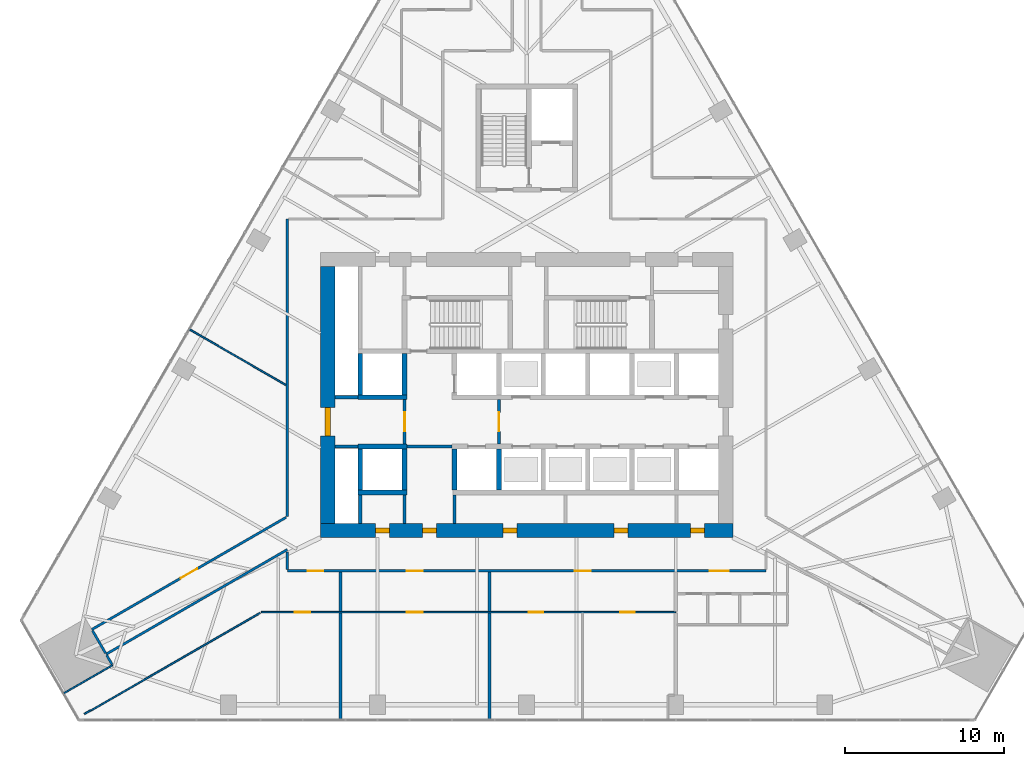
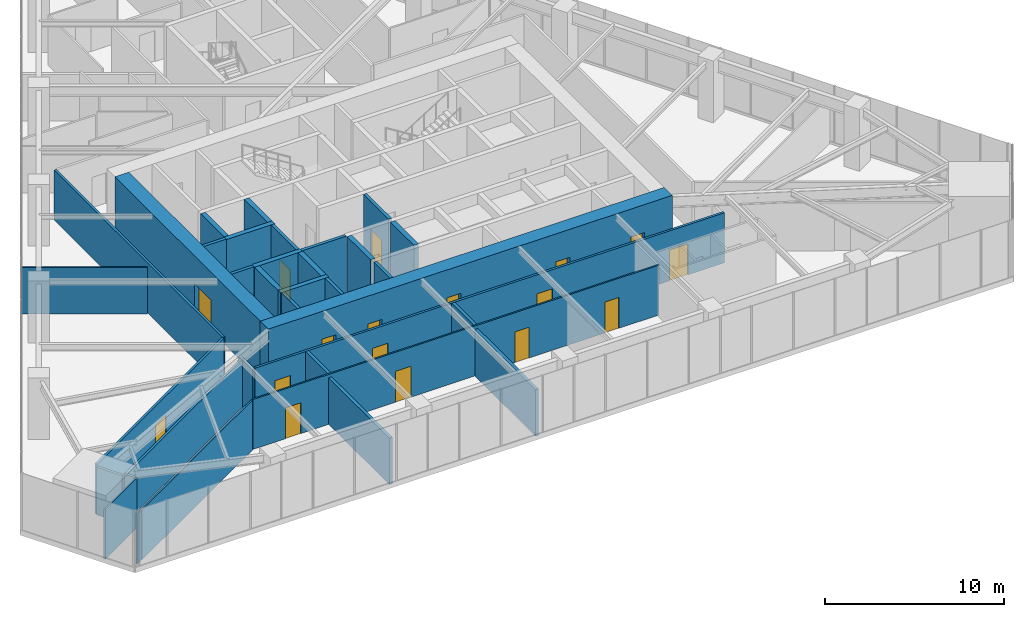
# One storey, part 16 of 21: 35 walls, 17 doors, 17 openings.
"""IFC4 building model written with IfcOpenShell, lengths in metres."""

from ifc_helpers import new_model, si_unit, direction, frame, frame_2d, origin, place, context, subcontext, project, spatial, rectangle, extrude, material, layer, layer_set, type_object, element, fill, save


model = new_model("IFC4")

# Units and contexts
model_context = context("Model", 3, precision=1e-05, world=origin(), true_north=direction((0.0, 1.0)))
body_context = subcontext(model_context, "Body", "Model", "MODEL_VIEW")
ifc_project = project(units=[si_unit("LENGTHUNIT", "METRE"), si_unit("AREAUNIT", "SQUARE_METRE"), si_unit("VOLUMEUNIT", "CUBIC_METRE"), si_unit("PLANEANGLEUNIT", "RADIAN"), si_unit("MASSUNIT", "GRAM", prefix="KILO")], contexts=[model_context])

# Site, building, storey
site_placement = place(None, origin())
site = spatial("IfcSite", under=ifc_project, at=site_placement, CompositionType="ELEMENT")
building_placement = place(site_placement, origin())
building = spatial("IfcBuilding", under=site, at=building_placement, Name="Firuza Gate Tower and Library", CompositionType="ELEMENT")
storey_placement = place(building_placement, frame((0.0, 0.0, 98.800048828125)))
storey = spatial("IfcBuildingStorey", under=building, at=storey_placement, Name="L22", CompositionType="ELEMENT", Elevation=98.800048828125)

# Walls
ifc_material_1 = material(Name="Plasterboard on steel studs", Category="steel")
ifc_layer_1 = layer(ifc_material_1, 0.199951171875)
ifc_layer_set_1 = layer_set([ifc_layer_1], Name="Core partition 200 EI 120")
wall_type_1 = type_object("IfcWallType", Name="Core partition 200 EI 120", PredefinedType="PARTITIONING", material=ifc_layer_set_1)
wall_1_placement = place(storey_placement, frame((62.89990234375, 71.75, 0.0), z_axis=(0.0, 0.0, 1.0), x_axis=(1.0, 0.0, 0.0)))
element("IfcWall", 1, at=wall_1_placement, inside=storey, type_object=wall_type_1, Name="Core partition L22 1", PredefinedType="PARTITIONING", context=body_context, shape_type="SweptSolid", body=[
    extrude(rectangle(XDim=1.4501953125, YDim=0.199951171875, at=frame_2d((0.72509765625, 0.0))), origin(), (0.0, 0.0, 1.0), 4.0),
])
wall_2_placement = place(storey_placement, frame((67.449951171875, 71.75, 0.0), z_axis=(0.0, 0.0, 1.0), x_axis=(1.0, 0.0, 0.0)))
element("IfcWall", 2, at=wall_2_placement, inside=storey, type_object=wall_type_1, Name="Core partition L22 2", PredefinedType="PARTITIONING", context=body_context, shape_type="SweptSolid", body=[
    extrude(rectangle(XDim=2.85009765625, YDim=0.199951171875, at=frame_2d((1.425048828125, 0.0))), origin(), (0.0, 0.0, 1.0), 4.0),
])
wall_3_placement = place(storey_placement, frame((62.89990234375, 74.85009765625, 0.0), z_axis=(0.0, 0.0, 1.0), x_axis=(1.0, 0.0, 0.0)))
element("IfcWall", 3, at=wall_3_placement, inside=storey, type_object=wall_type_1, Name="Core partition L22 3", PredefinedType="PARTITIONING", context=body_context, shape_type="SweptSolid", body=[
    extrude(rectangle(XDim=1.4501953125, YDim=0.199951171875, at=frame_2d((0.72509765625, 0.0))), origin(), (0.0, 0.0, 1.0), 4.0),
])
for number, where, z_axis, x_axis, name in (
    (4, (64.5, 66.89990234375, 0.0), (0.0, 0.0, 1.0), (0.0, 1.0, 0.0), "Core partition L22 5"),
    (5, (67.300048828125, 66.89990234375, 0.0), (0.0, 0.0, 1.0), (0.0, 1.0, 0.0), "Core partition L22 7"),
    (6, (70.449951171875, 66.89990234375, 0.0), (0.0, 0.0, 1.0), (0.0, 1.0, 0.0), "Core partition L22 10"),
):
    element("IfcWall", number, at=place(storey_placement, frame(where, z_axis=z_axis, x_axis=x_axis)), inside=storey, type_object=wall_type_1, Name=name, PredefinedType="PARTITIONING", context=body_context, shape_type="SweptSolid", body=[
        extrude(rectangle(XDim=1.800048828125, YDim=0.199951171875, at=frame_2d((0.89990234375, 0.0))), origin(), (0.0, 0.0, 1.0), 4.0),
    ])

# Wall, opening, door
ifc_material_2 = material(Name="Plasterboard on steel studs", Category="steel")
ifc_layer_2 = layer(ifc_material_2, 0.199951171875)
ifc_layer_set_2 = layer_set([ifc_layer_2], Name="Core partition 200 EI 60")
wall_type_2 = type_object("IfcWallType", Name="Core partition 200 EI 60", PredefinedType="PARTITIONING", material=ifc_layer_set_2)
wall_4_placement = place(storey_placement, frame((67.300048828125, 71.89990234375, 0.0), z_axis=(0.0, 0.0, 1.0), x_axis=(0.0, 1.0, 0.0)))
wall_4 = element("IfcWall", 7, at=wall_4_placement, inside=storey, type_object=wall_type_2, Name="Core partition L22 8", PredefinedType="PARTITIONING", context=body_context, shape_type="SweptSolid", body=[
    extrude(rectangle(XDim=2.800048828125, YDim=0.199951171875, at=frame_2d((1.39990234375, 0.0))), origin(), (0.0, 0.0, 1.0), 4.0),
])
opening_1_placement = place(wall_4_placement, frame((0.800048828125, 0.0, 0.0)))
opening_1 = element("IfcOpeningElement", 8, at=opening_1_placement, cuts=wall_4, Name="Opening L22-K21", PredefinedType="OPENING", context=body_context, shape_type="SweptSolid", body=[
    extrude(rectangle(XDim=1.199951171875, YDim=2.10009765625, at=frame_2d((0.60009765625, 1.050048828125))), frame((0.0, 0.10986328125, 0.0), z_axis=(0.0, -1.0, 0.0), x_axis=(1.0, 0.0, 0.0)), (0.0, 0.0, 1.0), 0.219970703125),
])
ifc_material_3 = material(Name="Steel", Category="steel")
door_type_1 = type_object("IfcDoorType", Name="Fire door 1200x2100 FD90S", OperationType="NOTDEFINED", PredefinedType="DOOR", material=ifc_material_3)
door_1_placement = place(opening_1_placement, origin())
door_1 = element("IfcDoor", 9, at=door_1_placement, inside=storey, type_object=door_type_1, Name="Door L22-K21", OperationType="SINGLE_SWING_RIGHT", OverallHeight=2.10009765625, OverallWidth=1.199951171875, PredefinedType="DOOR", context=body_context, shape_type="SweptSolid", body=[
    extrude(rectangle(XDim=1.199951171875, YDim=2.10009765625, at=frame_2d((0.60009765625, 1.050048828125))), frame((0.0, 0.02490234375, 0.0), z_axis=(0.0, -1.0, 0.0), x_axis=(1.0, 0.0, 0.0)), (0.0, 0.0, 1.0), 0.050048828125),
])
fill(opening_1, door_1)

wall_5_placement = place(storey_placement, frame((73.25, 71.89990234375, 0.0), z_axis=(0.0, 0.0, 1.0), x_axis=(0.0, 1.0, 0.0)))
wall_5 = element("IfcWall", 10, at=wall_5_placement, inside=storey, type_object=wall_type_2, Name="Core partition L22 11", PredefinedType="PARTITIONING", context=body_context, shape_type="SweptSolid", body=[
    extrude(rectangle(XDim=2.800048828125, YDim=0.199951171875, at=frame_2d((1.39990234375, 0.0))), origin(), (0.0, 0.0, 1.0), 4.0),
])
opening_2_placement = place(wall_5_placement, frame((0.800048828125, 0.0, 0.0)))
opening_2 = element("IfcOpeningElement", 11, at=opening_2_placement, cuts=wall_5, Name="Opening L22-K20", PredefinedType="OPENING", context=body_context, shape_type="SweptSolid", body=[
    extrude(rectangle(XDim=1.199951171875, YDim=2.10009765625, at=frame_2d((0.60009765625, 1.050048828125))), frame((0.0, 0.10986328125, 0.0), z_axis=(0.0, -1.0, 0.0), x_axis=(1.0, 0.0, 0.0)), (0.0, 0.0, 1.0), 0.219970703125),
])
door_2_placement = place(opening_2_placement, origin())
door_2 = element("IfcDoor", 12, at=door_2_placement, inside=storey, type_object=door_type_1, Name="Door L22-K20", OperationType="SINGLE_SWING_LEFT", OverallHeight=2.10009765625, OverallWidth=1.199951171875, PredefinedType="DOOR", context=body_context, shape_type="SweptSolid", body=[
    extrude(rectangle(XDim=1.199951171875, YDim=2.10009765625, at=frame_2d((0.60009765625, 1.050048828125))), frame((0.0, 0.02490234375, 0.0), z_axis=(0.0, -1.0, 0.0), x_axis=(1.0, 0.0, 0.0)), (0.0, 0.0, 1.0), 0.050048828125),
])
fill(opening_2, door_2)

# Walls
ifc_material_4 = material(Name="Concrete C80/95", Category="concrete")
ifc_layer_3 = layer(ifc_material_4, 0.300048828125)
ifc_layer_set_3 = layer_set([ifc_layer_3], Name="Core wall 300 C80/95")
wall_type_3 = type_object("IfcWallType", Name="Core wall 300 C80/95", PredefinedType="SHEAR", material=ifc_layer_set_3)
for number, where, z_axis, x_axis, name in (
    (13, (64.35009765625, 68.85009765625, 0.0), (0.0, 0.0, 1.0), (1.0, 0.0, 0.0), "Core wall L22 5"),
    (14, (64.35009765625, 71.75, 0.0), (0.0, 0.0, 1.0), (1.0, 0.0, 0.0), "Core wall L22 7"),
    (15, (64.35009765625, 74.85009765625, 0.0), (0.0, 0.0, 1.0), (1.0, 0.0, 0.0), "Core wall L22 9"),
):
    element("IfcWall", number, at=place(storey_placement, frame(where, z_axis=z_axis, x_axis=x_axis)), inside=storey, type_object=wall_type_3, Name=name, PredefinedType="SHEAR", context=body_context, shape_type="SweptSolid", body=[
        extrude(rectangle(XDim=3.099853515625, YDim=0.300048828125, at=frame_2d((1.5498046875, 0.0))), origin(), (0.0, 0.0, 1.0), 4.0),
    ])
for number, where, z_axis, x_axis, name in (
    (16, (64.5, 69.0, 0.0), (0.0, 0.0, 1.0), (0.0, 1.0, 0.0), "Core wall L22 11"),
    (17, (64.5, 75.0, 0.0), (0.0, 0.0, 1.0), (0.0, 1.0, 0.0), "Core wall L22 12"),
    (18, (67.300048828125, 69.0, 0.0), (0.0, 0.0, 1.0), (0.0, 1.0, 0.0), "Core wall L22 13"),
    (19, (67.300048828125, 75.0, 0.0), (0.0, 0.0, 1.0), (0.0, 1.0, 0.0), "Core wall L22 14"),
    (20, (70.449951171875, 69.0, 0.0), (0.0, 0.0, 1.0), (0.0, 1.0, 0.0), "Core wall L22 15"),
    (21, (73.25, 69.0, 0.0), (0.0, 0.0, 1.0), (0.0, 1.0, 0.0), "Core wall L22 17"),
):
    element("IfcWall", number, at=place(storey_placement, frame(where, z_axis=z_axis, x_axis=x_axis)), inside=storey, type_object=wall_type_3, Name=name, PredefinedType="SHEAR", context=body_context, shape_type="SweptSolid", body=[
        extrude(rectangle(XDim=2.60009765625, YDim=0.300048828125, at=frame_2d((1.300048828125, 0.0))), origin(), (0.0, 0.0, 1.0), 4.0),
    ])

# Wall, openings, doors
ifc_material_5 = material(Name="Concrete C80/95", Category="concrete")
ifc_layer_4 = layer(ifc_material_5, 0.89990234375)
ifc_layer_set_4 = layer_set([ifc_layer_4], Name="Core wall 900 C80/95")
wall_type_4 = type_object("IfcWallType", Name="Core wall 900 C80/95", PredefinedType="SHEAR", material=ifc_layer_set_4)
wall_6_placement = place(storey_placement, frame((62.0, 66.449951171875, 0.0), z_axis=(0.0, 0.0, 1.0), x_axis=(1.0, 0.0, 0.0)))
wall_6 = element("IfcWall", 22, at=wall_6_placement, inside=storey, type_object=wall_type_4, Name="Core wall L22 1", PredefinedType="SHEAR", context=body_context, shape_type="SweptSolid", body=[
    extrude(rectangle(XDim=26.0, YDim=0.89990234375, at=frame_2d((13.0, 0.0))), origin(), (0.0, 0.0, 1.0), 4.0),
])
opening_3_placement = place(wall_6_placement, frame((3.449951171875, 0.0, 0.0)))
opening_3 = element("IfcOpeningElement", 23, at=opening_3_placement, cuts=wall_6, Name="Opening L22-K24", PredefinedType="OPENING", context=body_context, shape_type="SweptSolid", body=[
    extrude(rectangle(XDim=0.89990234375, YDim=2.10009765625, at=frame_2d((0.449951171875, 1.050048828125))), frame((0.0, 0.4599609375, 0.0), z_axis=(0.0, -1.0, 0.0), x_axis=(1.0, 0.0, 0.0)), (0.0, 0.0, 1.0), 0.919921875),
])
opening_4_placement = place(wall_6_placement, frame((6.425048828125, 0.0, 0.0)))
opening_4 = element("IfcOpeningElement", 24, at=opening_4_placement, cuts=wall_6, Name="Opening L22-K25", PredefinedType="OPENING", context=body_context, shape_type="SweptSolid", body=[
    extrude(rectangle(XDim=0.89990234375, YDim=2.10009765625, at=frame_2d((0.449951171875, 1.050048828125))), frame((0.0, 0.4599609375, 0.0), z_axis=(0.0, -1.0, 0.0), x_axis=(1.0, 0.0, 0.0)), (0.0, 0.0, 1.0), 0.919921875),
])
opening_5_placement = place(wall_6_placement, frame((11.5, 0.0, 0.0)))
opening_5 = element("IfcOpeningElement", 25, at=opening_5_placement, cuts=wall_6, Name="Opening L22-K26", PredefinedType="OPENING", context=body_context, shape_type="SweptSolid", body=[
    extrude(rectangle(XDim=0.89990234375, YDim=2.10009765625, at=frame_2d((0.449951171875, 1.050048828125))), frame((0.0, 0.4599609375, 0.0), z_axis=(0.0, -1.0, 0.0), x_axis=(1.0, 0.0, 0.0)), (0.0, 0.0, 1.0), 0.919921875),
])
opening_6_placement = place(wall_6_placement, frame((18.5, 0.0, 0.0)))
opening_6 = element("IfcOpeningElement", 26, at=opening_6_placement, cuts=wall_6, Name="Opening L22-K27", PredefinedType="OPENING", context=body_context, shape_type="SweptSolid", body=[
    extrude(rectangle(XDim=0.89990234375, YDim=2.10009765625, at=frame_2d((0.449951171875, 1.050048828125))), frame((0.0, 0.4599609375, 0.0), z_axis=(0.0, -1.0, 0.0), x_axis=(1.0, 0.0, 0.0)), (0.0, 0.0, 1.0), 0.919921875),
])
opening_7_placement = place(wall_6_placement, frame((23.324951171875, 0.0, 0.0)))
opening_7 = element("IfcOpeningElement", 27, at=opening_7_placement, cuts=wall_6, Name="Opening L22-K28", PredefinedType="OPENING", context=body_context, shape_type="SweptSolid", body=[
    extrude(rectangle(XDim=0.89990234375, YDim=2.10009765625, at=frame_2d((0.449951171875, 1.050048828125))), frame((0.0, 0.4599609375, 0.0), z_axis=(0.0, -1.0, 0.0), x_axis=(1.0, 0.0, 0.0)), (0.0, 0.0, 1.0), 0.919921875),
])
ifc_material_6 = material(Name="Steel", Category="steel")
door_type_2 = type_object("IfcDoorType", Name="Fire door 900x2100 FD30S", OperationType="NOTDEFINED", PredefinedType="DOOR", material=ifc_material_6)
door_3_placement = place(opening_3_placement, origin())
door_3 = element("IfcDoor", 28, at=door_3_placement, inside=storey, type_object=door_type_2, Name="Door L22-K24", OperationType="SINGLE_SWING_LEFT", OverallHeight=2.10009765625, OverallWidth=0.89990234375, PredefinedType="DOOR", context=body_context, shape_type="SweptSolid", body=[
    extrude(rectangle(XDim=0.89990234375, YDim=2.10009765625, at=frame_2d((0.449951171875, 1.050048828125))), frame((0.0, 0.169921875, 0.0), z_axis=(0.0, -1.0, 0.0), x_axis=(1.0, 0.0, 0.0)), (0.0, 0.0, 1.0), 0.33984375),
])
fill(opening_3, door_3)
door_4_placement = place(opening_4_placement, origin())
door_4 = element("IfcDoor", 29, at=door_4_placement, inside=storey, type_object=door_type_2, Name="Door L22-K25", OperationType="SINGLE_SWING_RIGHT", OverallHeight=2.10009765625, OverallWidth=0.89990234375, PredefinedType="DOOR", context=body_context, shape_type="SweptSolid", body=[
    extrude(rectangle(XDim=0.89990234375, YDim=2.10009765625, at=frame_2d((0.449951171875, 1.050048828125))), frame((0.0, 0.169921875, 0.0), z_axis=(0.0, -1.0, 0.0), x_axis=(1.0, 0.0, 0.0)), (0.0, 0.0, 1.0), 0.33984375),
])
fill(opening_4, door_4)
door_5_placement = place(opening_5_placement, origin())
door_5 = element("IfcDoor", 30, at=door_5_placement, inside=storey, type_object=door_type_2, Name="Door L22-K26", OperationType="SINGLE_SWING_LEFT", OverallHeight=2.10009765625, OverallWidth=0.89990234375, PredefinedType="DOOR", context=body_context, shape_type="SweptSolid", body=[
    extrude(rectangle(XDim=0.89990234375, YDim=2.10009765625, at=frame_2d((0.449951171875, 1.050048828125))), frame((0.0, 0.169921875, 0.0), z_axis=(0.0, -1.0, 0.0), x_axis=(1.0, 0.0, 0.0)), (0.0, 0.0, 1.0), 0.33984375),
])
fill(opening_5, door_5)
door_6_placement = place(opening_6_placement, origin())
door_6 = element("IfcDoor", 31, at=door_6_placement, inside=storey, type_object=door_type_2, Name="Door L22-K27", OperationType="SINGLE_SWING_RIGHT", OverallHeight=2.10009765625, OverallWidth=0.89990234375, PredefinedType="DOOR", context=body_context, shape_type="SweptSolid", body=[
    extrude(rectangle(XDim=0.89990234375, YDim=2.10009765625, at=frame_2d((0.449951171875, 1.050048828125))), frame((0.0, 0.169921875, 0.0), z_axis=(0.0, -1.0, 0.0), x_axis=(1.0, 0.0, 0.0)), (0.0, 0.0, 1.0), 0.33984375),
])
fill(opening_6, door_6)
door_7_placement = place(opening_7_placement, origin())
door_7 = element("IfcDoor", 32, at=door_7_placement, inside=storey, type_object=door_type_2, Name="Door L22-K28", OperationType="SINGLE_SWING_LEFT", OverallHeight=2.10009765625, OverallWidth=0.89990234375, PredefinedType="DOOR", context=body_context, shape_type="SweptSolid", body=[
    extrude(rectangle(XDim=0.89990234375, YDim=2.10009765625, at=frame_2d((0.449951171875, 1.050048828125))), frame((0.0, 0.169921875, 0.0), z_axis=(0.0, -1.0, 0.0), x_axis=(1.0, 0.0, 0.0)), (0.0, 0.0, 1.0), 0.33984375),
])
fill(opening_7, door_7)

# Wall, opening, door
wall_7_placement = place(storey_placement, frame((62.449951171875, 66.89990234375, 0.0), z_axis=(0.0, 0.0, 1.0), x_axis=(0.0, 1.0, 0.0)))
wall_7 = element("IfcWall", 33, at=wall_7_placement, inside=storey, type_object=wall_type_4, Name="Core wall L22 3", PredefinedType="SHEAR", context=body_context, shape_type="SweptSolid", body=[
    extrude(rectangle(XDim=16.2001953125, YDim=0.89990234375, at=frame_2d((8.10009765625, 0.0))), origin(), (0.0, 0.0, 1.0), 4.0),
])
opening_8_placement = place(wall_7_placement, frame((5.5, 0.0, 0.0)))
opening_8 = element("IfcOpeningElement", 34, at=opening_8_placement, cuts=wall_7, Name="Opening L22-K22", PredefinedType="OPENING", context=body_context, shape_type="SweptSolid", body=[
    extrude(rectangle(XDim=1.800048828125, YDim=2.10009765625, at=frame_2d((0.89990234375, 1.050048828125))), frame((0.0, 0.4599609375, 0.0), z_axis=(0.0, -1.0, 0.0), x_axis=(1.0, 0.0, 0.0)), (0.0, 0.0, 1.0), 0.919921875),
])
ifc_material_7 = material(Name="Steel", Category="steel")
door_type_3 = type_object("IfcDoorType", Name="Fire door 1800x2100 FD30S", OperationType="NOTDEFINED", PredefinedType="DOOR", material=ifc_material_7)
door_8_placement = place(opening_8_placement, origin())
door_8 = element("IfcDoor", 35, at=door_8_placement, inside=storey, type_object=door_type_3, Name="Door L22-K22", OperationType="SINGLE_SWING_LEFT", OverallHeight=2.10009765625, OverallWidth=1.800048828125, PredefinedType="DOOR", context=body_context, shape_type="SweptSolid", body=[
    extrude(rectangle(XDim=1.800048828125, YDim=2.10009765625, at=frame_2d((0.89990234375, 1.050048828125))), frame((0.0, 0.169921875, 0.0), z_axis=(0.0, -1.0, 0.0), x_axis=(1.0, 0.0, 0.0)), (0.0, 0.0, 1.0), 0.33984375),
])
fill(opening_8, door_8)

# Wall, openings, doors
ifc_material_8 = material(Name="Gypsum board partition")
ifc_layer_5 = layer(ifc_material_8, 0.14990234375)
ifc_layer_set_5 = layer_set([ifc_layer_5], Name="Corridor wall 150 double board on steel studs")
wall_type_5 = type_object("IfcWallType", Name="Corridor wall 150 double board on steel studs", PredefinedType="PARTITIONING", material=ifc_layer_set_5)
wall_8_placement = place(storey_placement, frame((90.10009765625, 63.89990234375, 0.0), z_axis=(0.0, 0.0, 1.0), x_axis=(-1.0, 0.0, 0.0)))
wall_8 = element("IfcWall", 36, at=wall_8_placement, inside=storey, type_object=wall_type_5, Name="f:L22:w004", PredefinedType="PARTITIONING", context=body_context, shape_type="SweptSolid", body=[
    extrude(rectangle(XDim=30.19970703125, YDim=0.14990234375, at=frame_2d((15.099853515625, 0.0))), origin(), (0.0, 0.0, 1.0), 3.39990234375),
])
opening_9_placement = place(wall_8_placement, frame((2.349853515625, 0.0, 0.0)))
opening_9 = element("IfcOpeningElement", 37, at=opening_9_placement, cuts=wall_8, Name="Opening L22-08", PredefinedType="OPENING", context=body_context, shape_type="SweptSolid", body=[
    extrude(rectangle(XDim=1.199951171875, YDim=2.10009765625, at=frame_2d((0.60009765625, 1.050048828125))), frame((0.0, 0.0849609375, 0.0), z_axis=(0.0, -1.0, 0.0), x_axis=(1.0, 0.0, 0.0)), (0.0, 0.0, 1.0), 0.169921875),
])
opening_10_placement = place(wall_8_placement, frame((11.07373046875, 0.0, 0.0)))
opening_10 = element("IfcOpeningElement", 38, at=opening_10_placement, cuts=wall_8, Name="Opening L22-09", PredefinedType="OPENING", context=body_context, shape_type="SweptSolid", body=[
    extrude(rectangle(XDim=1.0, YDim=2.10009765625, at=frame_2d((0.5, 1.050048828125))), frame((0.0, 0.0849609375, 0.0), z_axis=(0.0, -1.0, 0.0), x_axis=(1.0, 0.0, 0.0)), (0.0, 0.0, 1.0), 0.169921875),
])
opening_11_placement = place(wall_8_placement, frame((21.652587890625, 0.0, 0.0)))
opening_11 = element("IfcOpeningElement", 39, at=opening_11_placement, cuts=wall_8, Name="Opening L22-10", PredefinedType="OPENING", context=body_context, shape_type="SweptSolid", body=[
    extrude(rectangle(XDim=1.0, YDim=2.10009765625, at=frame_2d((0.5, 1.050048828125))), frame((0.0, 0.0849609375, 0.0), z_axis=(0.0, -1.0, 0.0), x_axis=(1.0, 0.0, 0.0)), (0.0, 0.0, 1.0), 0.169921875),
])
opening_12_placement = place(wall_8_placement, frame((27.92529296875, 0.0, 0.0)))
opening_12 = element("IfcOpeningElement", 40, at=opening_12_placement, cuts=wall_8, Name="Opening L22-11", PredefinedType="OPENING", context=body_context, shape_type="SweptSolid", body=[
    extrude(rectangle(XDim=1.0, YDim=2.10009765625, at=frame_2d((0.5, 1.050048828125))), frame((0.0, 0.0849609375, 0.0), z_axis=(0.0, -1.0, 0.0), x_axis=(1.0, 0.0, 0.0)), (0.0, 0.0, 1.0), 0.169921875),
])
ifc_material_9 = material(Name="Steel door and timber leaf", Category="steel")
door_type_4 = type_object("IfcDoorType", Name="Fire door 1000 x 2100 steel frame, timber leaf", OperationType="NOTDEFINED", PredefinedType="DOOR", material=ifc_material_9)
door_9_placement = place(opening_10_placement, origin())
door_9 = element("IfcDoor", 41, at=door_9_placement, inside=storey, type_object=door_type_4, Name="f:L22:d009", OperationType="SINGLE_SWING_RIGHT", OverallHeight=2.10009765625, OverallWidth=1.0, PredefinedType="DOOR", context=body_context, shape_type="SweptSolid", body=[
    extrude(rectangle(XDim=1.0, YDim=2.10009765625, at=frame_2d((0.5, 1.050048828125))), frame((0.0, 0.02490234375, 0.0), z_axis=(0.0, -1.0, 0.0), x_axis=(1.0, 0.0, 0.0)), (0.0, 0.0, 1.0), 0.050048828125),
])
fill(opening_10, door_9)
door_10_placement = place(opening_11_placement, origin())
door_10 = element("IfcDoor", 42, at=door_10_placement, inside=storey, type_object=door_type_4, Name="f:L22:d010", OperationType="SINGLE_SWING_LEFT", OverallHeight=2.10009765625, OverallWidth=1.0, PredefinedType="DOOR", context=body_context, shape_type="SweptSolid", body=[
    extrude(rectangle(XDim=1.0, YDim=2.10009765625, at=frame_2d((0.5, 1.050048828125))), frame((0.0, 0.02490234375, 0.0), z_axis=(0.0, -1.0, 0.0), x_axis=(1.0, 0.0, 0.0)), (0.0, 0.0, 1.0), 0.050048828125),
])
fill(opening_11, door_10)
door_11_placement = place(opening_12_placement, origin())
door_11 = element("IfcDoor", 43, at=door_11_placement, inside=storey, type_object=door_type_4, Name="f:L22:d011", OperationType="SINGLE_SWING_LEFT", OverallHeight=2.10009765625, OverallWidth=1.0, PredefinedType="DOOR", context=body_context, shape_type="SweptSolid", body=[
    extrude(rectangle(XDim=1.0, YDim=2.10009765625, at=frame_2d((0.5, 1.050048828125))), frame((0.0, 0.02490234375, 0.0), z_axis=(0.0, -1.0, 0.0), x_axis=(1.0, 0.0, 0.0)), (0.0, 0.0, 1.0), 0.050048828125),
])
fill(opening_12, door_11)
ifc_material_10 = material(Name="Steel door and timber leaf", Category="steel")
door_type_5 = type_object("IfcDoorType", Name="Fire door 1200 x 2100 steel frame, double leaf", OperationType="NOTDEFINED", PredefinedType="DOOR", material=ifc_material_10)
door_12_placement = place(opening_9_placement, origin())
door_12 = element("IfcDoor", 44, at=door_12_placement, inside=storey, type_object=door_type_5, Name="f:L22:d008", OperationType="DOUBLE_DOOR_SINGLE_SWING", OverallHeight=2.10009765625, OverallWidth=1.199951171875, PredefinedType="DOOR", context=body_context, shape_type="SweptSolid", body=[
    extrude(rectangle(XDim=1.199951171875, YDim=2.10009765625, at=frame_2d((0.60009765625, 1.050048828125))), frame((0.0, 0.02490234375, 0.0), z_axis=(0.0, -1.0, 0.0), x_axis=(1.0, 0.0, 0.0)), (0.0, 0.0, 1.0), 0.050048828125),
])
fill(opening_9, door_12)

# Wall
wall_9_placement = place(storey_placement, frame((48.470947265625, 58.644287109375, 0.0), z_axis=(0.0, 0.0, 1.0), x_axis=(0.86602138367, 0.500006962977, 0.0)))
element("IfcWall", 45, at=wall_9_placement, inside=storey, type_object=wall_type_5, Name="f:L22:w019", PredefinedType="PARTITIONING", context=body_context, shape_type="SweptSolid", body=[
    extrude(rectangle(XDim=13.197021484375, YDim=0.14990234375, at=frame_2d((6.5986328125, 0.0))), origin(), (0.0, 0.0, 1.0), 3.2470703125),
])

# Wall, opening, door
wall_10_placement = place(storey_placement, frame((47.5712890625, 60.203369140625, 0.0), z_axis=(0.0, 0.0, 1.0), x_axis=(0.866023815059, 0.500002751744, 0.0)))
wall_10 = element("IfcWall", 46, at=wall_10_placement, inside=storey, type_object=wall_type_5, Name="f:L22:w020", PredefinedType="PARTITIONING", context=body_context, shape_type="SweptSolid", body=[
    extrude(rectangle(XDim=14.1494140625, YDim=0.14990234375, at=frame_2d((7.07470703125, 0.0))), origin(), (0.0, 0.0, 1.0), 3.39990234375),
])
opening_13_placement = place(wall_10_placement, frame((6.474609375, 0.0, 0.0)))
opening_13 = element("IfcOpeningElement", 47, at=opening_13_placement, cuts=wall_10, Name="Opening L22-20", PredefinedType="OPENING", context=body_context, shape_type="SweptSolid", body=[
    extrude(rectangle(XDim=1.199951171875, YDim=2.10009765625, at=frame_2d((0.60009765625, 1.050048828125))), frame((0.0, 0.0849609375, 0.0), z_axis=(0.0, -1.0, 0.0), x_axis=(1.0, 0.0, 0.0)), (0.0, 0.0, 1.0), 0.169921875),
])
door_13_placement = place(opening_13_placement, origin())
door_13 = element("IfcDoor", 48, at=door_13_placement, inside=storey, type_object=door_type_5, Name="f:L22:d020", OperationType="DOUBLE_DOOR_SINGLE_SWING", OverallHeight=2.10009765625, OverallWidth=1.199951171875, PredefinedType="DOOR", context=body_context, shape_type="SweptSolid", body=[
    extrude(rectangle(XDim=1.199951171875, YDim=2.10009765625, at=frame_2d((0.60009765625, 1.050048828125))), frame((0.0, 0.02490234375, 0.0), z_axis=(0.0, -1.0, 0.0), x_axis=(1.0, 0.0, 0.0)), (0.0, 0.0, 1.0), 0.050048828125),
])
fill(opening_13, door_13)

# Walls
wall_11_placement = place(storey_placement, frame((59.89990234375, 63.9755859375, 0.0), z_axis=(0.0, 0.0, 1.0), x_axis=(0.0, 1.0, 0.0)))
element("IfcWall", 49, at=wall_11_placement, inside=storey, type_object=wall_type_5, Name="f:L22:w047", PredefinedType="PARTITIONING", context=body_context, shape_type="SweptSolid", body=[
    extrude(rectangle(XDim=1.130615234375, YDim=0.14990234375, at=frame_2d((0.5654296875, 0.0))), origin(), (0.0, 0.0, 1.0), 3.2470703125),
])
wall_12_placement = place(storey_placement, frame((59.89990234375, 67.3212890625, 0.0), z_axis=(0.0, 0.0, 1.0), x_axis=(0.0, 1.0, 0.0)))
element("IfcWall", 50, at=wall_12_placement, inside=storey, type_object=wall_type_5, Name="f:L22:w048", PredefinedType="PARTITIONING", context=body_context, shape_type="SweptSolid", body=[
    extrude(rectangle(XDim=18.7783203125, YDim=0.14990234375, at=frame_2d((9.38916015625, 0.0))), origin(), (0.0, 0.0, 1.0), 3.39990234375),
])
wall_13_placement = place(storey_placement, frame((48.845458984375, 57.9951171875, 0.0), z_axis=(0.0, 0.0, 1.0), x_axis=(-0.499837337514, 0.866119296648, 0.0)))
element("IfcWall", 51, at=wall_13_placement, inside=storey, type_object=wall_type_5, Name="f:L22:w049", PredefinedType="PARTITIONING", context=body_context, shape_type="SweptSolid", body=[
    extrude(rectangle(XDim=0.674560546875, YDim=0.14990234375, at=frame_2d((0.33740234375, 0.0))), origin(), (0.0, 0.0, 1.0), 3.39990234375),
])
wall_14_placement = place(storey_placement, frame((48.433349609375, 58.709228515625, 0.0), z_axis=(0.0, 0.0, 1.0), x_axis=(-0.500055614084, 0.865993292597, 0.0)))
element("IfcWall", 52, at=wall_14_placement, inside=storey, type_object=wall_type_5, Name="f:L22:w061", PredefinedType="PARTITIONING", context=body_context, shape_type="SweptSolid", body=[
    extrude(rectangle(XDim=1.649169921875, YDim=0.14990234375, at=frame_2d((0.82470703125, 0.0))), origin(), (0.0, 0.0, 1.0), 3.2470703125),
])
ifc_material_11 = material(Name="Gypsum board partition")
ifc_layer_6 = layer(ifc_material_11, 0.199951171875)
ifc_layer_set_6 = layer_set([ifc_layer_6], Name="Demising wall 200 acoustic double stud")
wall_type_6 = type_object("IfcWallType", Name="Demising wall 200 acoustic double stud", PredefinedType="PARTITIONING", material=ifc_layer_set_6)
for number, where, z_axis, x_axis, name in (
    (53, (72.64892578125, 54.495849609375, 0.0), (0.0, 0.0, 1.0), (0.0, 1.0, 0.0), "f:L22:w039"),
    (54, (63.24609375, 54.495849609375, 0.0), (0.0, 0.0, 1.0), (0.0, 1.0, 0.0), "f:L22:w046"),
):
    element("IfcWall", number, at=place(storey_placement, frame(where, z_axis=z_axis, x_axis=x_axis)), inside=storey, type_object=wall_type_6, Name=name, PredefinedType="PARTITIONING", context=body_context, shape_type="SweptSolid", body=[
        extrude(rectangle(XDim=6.754150390625, YDim=0.199951171875, at=frame_2d((3.376953125, 0.0))), origin(), (0.0, 0.0, 1.0), 3.1650390625),
    ])
for number, where, z_axis, x_axis, name in (
    (55, (72.64892578125, 61.35009765625, 0.0), (0.0, 0.0, 1.0), (0.0, 1.0, 0.0), "f:L22:w063"),
    (56, (63.24609375, 61.35009765625, 0.0), (0.0, 0.0, 1.0), (0.0, 1.0, 0.0), "f:L22:w064"),
):
    element("IfcWall", number, at=place(storey_placement, frame(where, z_axis=z_axis, x_axis=x_axis)), inside=storey, type_object=wall_type_6, Name=name, PredefinedType="PARTITIONING", context=body_context, shape_type="SweptSolid", body=[
        extrude(rectangle(XDim=2.474853515625, YDim=0.199951171875, at=frame_2d((1.2373046875, 0.0))), origin(), (0.0, 0.0, 1.0), 3.39990234375),
    ])

# Wall, openings, doors
ifc_material_12 = material(Name="Gypsum board partition")
ifc_layer_7 = layer(ifc_material_12, 0.10009765625)
ifc_layer_set_7 = layer_set([ifc_layer_7], Name="Partition 100 gypsum board on steel studs")
wall_type_7 = type_object("IfcWallType", Name="Partition 100 gypsum board on steel studs", PredefinedType="PARTITIONING", material=ifc_layer_set_7)
wall_15_placement = place(storey_placement, frame((84.4033203125, 61.300048828125, 0.0), z_axis=(0.0, 0.0, 1.0), x_axis=(-1.0, 0.0, 0.0)))
wall_15 = element("IfcWall", 57, at=wall_15_placement, inside=storey, type_object=wall_type_7, Name="f:L22:w002", PredefinedType="PARTITIONING", context=body_context, shape_type="SweptSolid", body=[
    extrude(rectangle(XDim=26.13232421875, YDim=0.10009765625, at=frame_2d((13.066162109375, 0.0))), origin(), (0.0, 0.0, 1.0), 3.39990234375),
])
opening_14_placement = place(wall_15_placement, frame((2.590087890625, 0.0, 0.0)))
opening_14 = element("IfcOpeningElement", 58, at=opening_14_placement, cuts=wall_15, Name="Opening L22-01", PredefinedType="OPENING", context=body_context, shape_type="SweptSolid", body=[
    extrude(rectangle(XDim=0.89990234375, YDim=2.10009765625, at=frame_2d((0.449951171875, 1.050048828125))), frame((0.0, 0.06005859375, 0.0), z_axis=(0.0, -1.0, 0.0), x_axis=(1.0, 0.0, 0.0)), (0.0, 0.0, 1.0), 0.1201171875),
])
opening_15_placement = place(wall_15_placement, frame((8.3642578125, 0.0, 0.0)))
opening_15 = element("IfcOpeningElement", 59, at=opening_15_placement, cuts=wall_15, Name="Opening L22-02", PredefinedType="OPENING", context=body_context, shape_type="SweptSolid", body=[
    extrude(rectangle(XDim=0.89990234375, YDim=2.10009765625, at=frame_2d((0.449951171875, 1.050048828125))), frame((0.0, 0.06005859375, 0.0), z_axis=(0.0, -1.0, 0.0), x_axis=(1.0, 0.0, 0.0)), (0.0, 0.0, 1.0), 0.1201171875),
])
opening_16_placement = place(wall_15_placement, frame((15.955810546875, 0.0, 0.0)))
opening_16 = element("IfcOpeningElement", 60, at=opening_16_placement, cuts=wall_15, Name="Opening L22-03", PredefinedType="OPENING", context=body_context, shape_type="SweptSolid", body=[
    extrude(rectangle(XDim=1.0, YDim=2.10009765625, at=frame_2d((0.5, 1.050048828125))), frame((0.0, 0.06005859375, 0.0), z_axis=(0.0, -1.0, 0.0), x_axis=(1.0, 0.0, 0.0)), (0.0, 0.0, 1.0), 0.1201171875),
])
opening_17_placement = place(wall_15_placement, frame((23.044921875, 0.0, 0.0)))
opening_17 = element("IfcOpeningElement", 61, at=opening_17_placement, cuts=wall_15, Name="Opening L22-04", PredefinedType="OPENING", context=body_context, shape_type="SweptSolid", body=[
    extrude(rectangle(XDim=1.0, YDim=2.10009765625, at=frame_2d((0.5, 1.050048828125))), frame((0.0, 0.06005859375, 0.0), z_axis=(0.0, -1.0, 0.0), x_axis=(1.0, 0.0, 0.0)), (0.0, 0.0, 1.0), 0.1201171875),
])
ifc_material_13 = material(Name="Timber door", Category="wood")
door_type_6 = type_object("IfcDoorType", Name="Door 1000 x 2100 timber leaf", OperationType="NOTDEFINED", PredefinedType="DOOR", material=ifc_material_13)
door_14_placement = place(opening_16_placement, origin())
door_14 = element("IfcDoor", 62, at=door_14_placement, inside=storey, type_object=door_type_6, Name="f:L22:d003", OperationType="SINGLE_SWING_RIGHT", OverallHeight=2.10009765625, OverallWidth=1.0, PredefinedType="DOOR", context=body_context, shape_type="SweptSolid", body=[
    extrude(rectangle(XDim=1.0, YDim=2.10009765625, at=frame_2d((0.5, 1.050048828125))), frame((0.0, 0.02490234375, 0.0), z_axis=(0.0, -1.0, 0.0), x_axis=(1.0, 0.0, 0.0)), (0.0, 0.0, 1.0), 0.050048828125),
])
fill(opening_16, door_14)
door_15_placement = place(opening_17_placement, origin())
door_15 = element("IfcDoor", 63, at=door_15_placement, inside=storey, type_object=door_type_6, Name="f:L22:d004", OperationType="SINGLE_SWING_RIGHT", OverallHeight=2.10009765625, OverallWidth=1.0, PredefinedType="DOOR", context=body_context, shape_type="SweptSolid", body=[
    extrude(rectangle(XDim=1.0, YDim=2.10009765625, at=frame_2d((0.5, 1.050048828125))), frame((0.0, 0.02490234375, 0.0), z_axis=(0.0, -1.0, 0.0), x_axis=(1.0, 0.0, 0.0)), (0.0, 0.0, 1.0), 0.050048828125),
])
fill(opening_17, door_15)
ifc_material_14 = material(Name="Timber door", Category="wood")
door_type_7 = type_object("IfcDoorType", Name="Door 900 x 2100 timber leaf", OperationType="NOTDEFINED", PredefinedType="DOOR", material=ifc_material_14)
door_16_placement = place(opening_14_placement, origin())
door_16 = element("IfcDoor", 64, at=door_16_placement, inside=storey, type_object=door_type_7, Name="f:L22:d001", OperationType="SINGLE_SWING_RIGHT", OverallHeight=2.10009765625, OverallWidth=0.89990234375, PredefinedType="DOOR", context=body_context, shape_type="SweptSolid", body=[
    extrude(rectangle(XDim=0.89990234375, YDim=2.10009765625, at=frame_2d((0.449951171875, 1.050048828125))), frame((0.0, 0.02490234375, 0.0), z_axis=(0.0, -1.0, 0.0), x_axis=(1.0, 0.0, 0.0)), (0.0, 0.0, 1.0), 0.050048828125),
])
fill(opening_14, door_16)
door_17_placement = place(opening_15_placement, origin())
door_17 = element("IfcDoor", 65, at=door_17_placement, inside=storey, type_object=door_type_7, Name="f:L22:d002", OperationType="SINGLE_SWING_LEFT", OverallHeight=2.10009765625, OverallWidth=0.89990234375, PredefinedType="DOOR", context=body_context, shape_type="SweptSolid", body=[
    extrude(rectangle(XDim=0.89990234375, YDim=2.10009765625, at=frame_2d((0.449951171875, 1.050048828125))), frame((0.0, 0.02490234375, 0.0), z_axis=(0.0, -1.0, 0.0), x_axis=(1.0, 0.0, 0.0)), (0.0, 0.0, 1.0), 0.050048828125),
])
fill(opening_15, door_17)

# Walls
wall_16_placement = place(storey_placement, frame((47.519287109375, 55.0927734375, 0.0), z_axis=(0.0, 0.0, 1.0), x_axis=(0.866028767292, 0.499994174189, 0.0)))
element("IfcWall", 66, at=wall_16_placement, inside=storey, type_object=wall_type_7, Name="f:L22:w016", PredefinedType="PARTITIONING", context=body_context, shape_type="SweptSolid", body=[
    extrude(rectangle(XDim=12.314697265625, YDim=0.10009765625, at=frame_2d((6.1572265625, 0.0))), origin(), (0.0, 0.0, 1.0), 3.39990234375),
])
wall_17_placement = place(storey_placement, frame((47.10009765625, 54.87255859375, 0.0), z_axis=(0.0, 0.0, 1.0), x_axis=(0.865944638795, 0.50013986298, 0.0)))
element("IfcWall", 67, at=wall_17_placement, inside=storey, type_object=wall_type_7, Name="f:L22:w017", PredefinedType="PARTITIONING", context=body_context, shape_type="SweptSolid", body=[
    extrude(rectangle(XDim=0.472412109375, YDim=0.10009765625, at=frame_2d((0.236328125, 0.0))), origin(), (0.0, 0.0, 1.0), 3.39990234375),
])
wall_18_placement = place(storey_placement, frame((45.787841796875, 56.17138671875, 0.0), z_axis=(0.0, 0.0, 1.0), x_axis=(0.866031398331, 0.499989616998, 0.0)))
element("IfcWall", 68, at=wall_18_placement, inside=storey, type_object=wall_type_7, Name="f:L22:w018", PredefinedType="PARTITIONING", context=body_context, shape_type="SweptSolid", body=[
    extrude(rectangle(XDim=3.5595703125, YDim=0.10009765625, at=frame_2d((1.77978515625, 0.0))), origin(), (0.0, 0.0, 1.0), 3.39990234375),
])
wall_19_placement = place(storey_placement, frame((59.798828125, 75.63232421875, 0.0), z_axis=(0.0, 0.0, 1.0), x_axis=(-0.866018287837, 0.500012324981, 0.0)))
element("IfcWall", 69, at=wall_19_placement, inside=storey, type_object=wall_type_7, Name="f:L22:w057", PredefinedType="PARTITIONING", context=body_context, shape_type="SweptSolid", body=[
    extrude(rectangle(XDim=7.023193359375, YDim=0.10009765625, at=frame_2d((3.51171875, 0.0))), origin(), (0.0, 0.0, 1.0), 3.1650390625),
])

save(model, "model.ifc")
